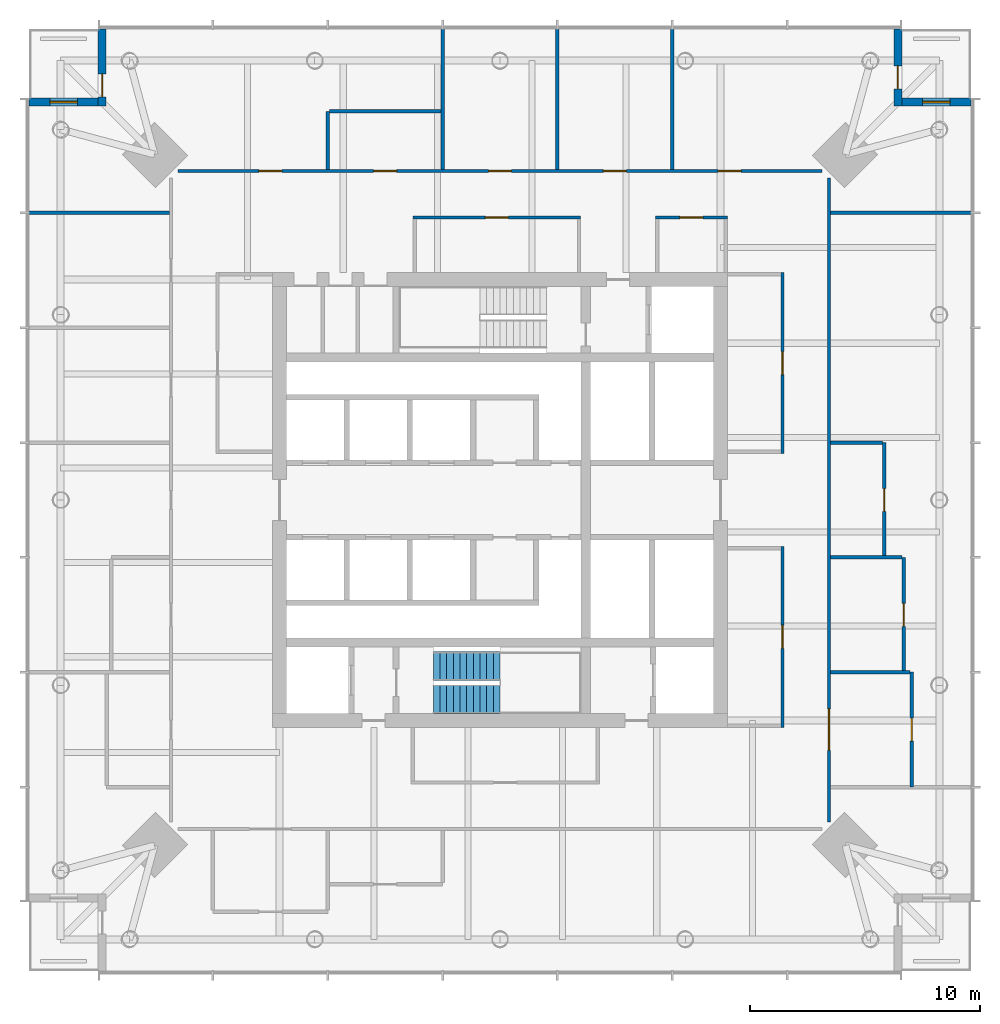
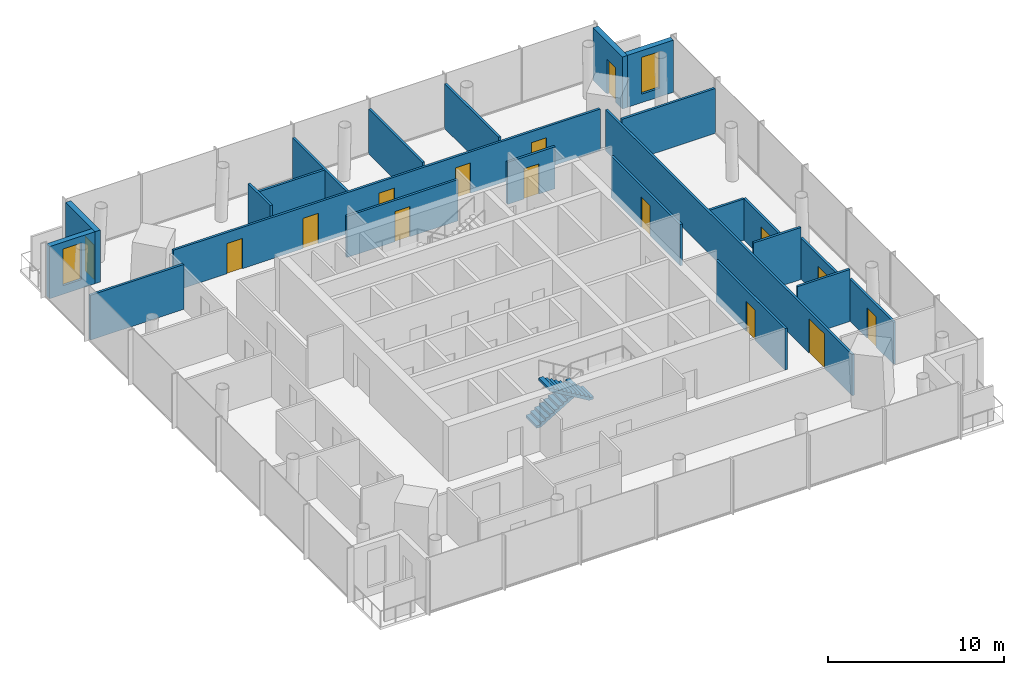
# One storey, part 6 of 8: 23 walls, 15 doors, 2 stair flights, 2 windows, 17 openings, 1 element without a shape of its own.
"""IFC4 building model written with IfcOpenShell, lengths in metres."""

from ifc_helpers import new_model, si_unit, direction, frame, frame_2d, origin, place, context, subcontext, project, spatial, polyline, rectangle, outline, extrude, material, layer, layer_set, type_object, element, fill, aggregate, save


model = new_model("IFC4")

# Units and contexts
model_context = context("Model", 3, precision=1e-05, world=origin(), true_north=direction((0.0, 1.0)))
body_context = subcontext(model_context, "Body", "Model", "MODEL_VIEW")
ifc_project = project(units=[si_unit("LENGTHUNIT", "METRE"), si_unit("AREAUNIT", "SQUARE_METRE"), si_unit("VOLUMEUNIT", "CUBIC_METRE"), si_unit("PLANEANGLEUNIT", "RADIAN"), si_unit("MASSUNIT", "GRAM", prefix="KILO")], contexts=[model_context])

# Site, building, storey
site_placement = place(None, origin())
site = spatial("IfcSite", under=ifc_project, at=site_placement, CompositionType="ELEMENT")
building_placement = place(site_placement, origin())
building = spatial("IfcBuilding", under=site, at=building_placement, Name="Ostroluk Exchange", CompositionType="ELEMENT")
storey_placement = place(building_placement, frame((0.0, 0.0, 173.0)))
storey = spatial("IfcBuildingStorey", under=building, at=storey_placement, Name="L44", CompositionType="ELEMENT", Elevation=173.0)

# Wall, opening, door
ifc_material_1 = material(Name="Limestone", Category="masonry")
ifc_layer_1 = layer(ifc_material_1, 0.35009765625)
ifc_layer_set_1 = layer_set([ifc_layer_1], Name="Limestone facade wall 350")
wall_type_1 = type_object("IfcWallType", Name="Limestone facade wall 350", PredefinedType="SOLIDWALL", material=ifc_layer_set_1)
wall_1_placement = place(storey_placement, frame((62.324951171875, 66.5, 0.0), z_axis=(0.0, 0.0, 1.0), x_axis=(0.0, -1.0, 0.0)))
wall_1 = element("IfcWall", 1, at=wall_1_placement, inside=storey, type_object=wall_type_1, Name="Office tower NE corner wall L44 a", PredefinedType="SOLIDWALL", context=body_context, shape_type="SweptSolid", body=[
    extrude(rectangle(XDim=3.35009765625, YDim=0.35009765625, at=frame_2d((1.675048828125, 0.0))), origin(), (0.0, 0.0, 1.0), 3.6201171875),
])
opening_1_placement = place(wall_1_placement, frame((1.60009765625, 0.0, 0.0)))
opening_1 = element("IfcOpeningElement", 2, at=opening_1_placement, cuts=wall_1, Name="Opening D-B1", PredefinedType="OPENING", context=body_context, shape_type="SweptSolid", body=[
    extrude(rectangle(XDim=1.0, YDim=2.39990234375, at=frame_2d((0.5, 1.199951171875))), frame((0.0, 0.18505859375, 0.0), z_axis=(0.0, -1.0, 0.0), x_axis=(1.0, 0.0, 0.0)), (0.0, 0.0, 1.0), 0.3701171875),
])
ifc_material_2 = material(Name="Bronze framed glazed door", Category="aluminium")
door_type_1 = type_object("IfcDoorType", Name="Balcony door 1000 x 2400", OperationType="SINGLE_SWING_LEFT", PredefinedType="DOOR", material=ifc_material_2)
door_1_placement = place(opening_1_placement, origin())
door_1 = element("IfcDoor", 3, at=door_1_placement, inside=storey, type_object=door_type_1, Name="Office tower NE balcony door L44", OperationType="SINGLE_SWING_RIGHT", OverallHeight=2.39990234375, OverallWidth=1.0, PredefinedType="DOOR", context=body_context, shape_type="SweptSolid", body=[
    extrude(rectangle(XDim=1.0, YDim=2.39990234375, at=frame_2d((0.5, 1.199951171875))), frame((0.0, 0.02490234375, 0.0), z_axis=(0.0, -1.0, 0.0), x_axis=(1.0, 0.0, 0.0)), (0.0, 0.0, 1.0), 0.050048828125),
])
fill(opening_1, door_1)

# Wall, opening, window
wall_2_placement = place(storey_placement, frame((62.5, 63.324951171875, 0.0), z_axis=(0.0, 0.0, 1.0), x_axis=(1.0, 0.0, 0.0)))
wall_2 = element("IfcWall", 4, at=wall_2_placement, inside=storey, type_object=wall_type_1, Name="Office tower NE corner wall L44 b", PredefinedType="SOLIDWALL", context=body_context, shape_type="SweptSolid", body=[
    extrude(rectangle(XDim=3.0, YDim=0.35009765625, at=frame_2d((1.5, 0.0))), origin(), (0.0, 0.0, 1.0), 3.6201171875),
])
opening_2_placement = place(wall_2_placement, frame((0.89990234375, 0.0, 0.60009765625)))
opening_2 = element("IfcOpeningElement", 5, at=opening_2_placement, cuts=wall_2, Name="Opening WN-L1", PredefinedType="OPENING", context=body_context, shape_type="SweptSolid", body=[
    extrude(rectangle(XDim=1.199951171875, YDim=2.550048828125, at=frame_2d((0.60009765625, 1.27490234375))), frame((0.0, 0.18505859375, 0.0), z_axis=(0.0, -1.0, 0.0), x_axis=(1.0, 0.0, 0.0)), (0.0, 0.0, 1.0), 0.3701171875),
])
ifc_material_3 = material(Name="Laminated clear glass", Category="glass")
window_type = type_object("IfcWindowType", Name="Lancet window 1200 x 2550", PartitioningType="SINGLE_PANEL", PredefinedType="WINDOW", material=ifc_material_3)
window_1_placement = place(opening_2_placement, origin())
window_1 = element("IfcWindow", 6, at=window_1_placement, inside=storey, type_object=window_type, Name="Office tower NE lancet window L44", OverallHeight=2.550048828125, OverallWidth=1.199951171875, PartitioningType="SINGLE_PANEL", PredefinedType="WINDOW", context=body_context, shape_type="SweptSolid", body=[
    extrude(rectangle(XDim=1.199951171875, YDim=2.550048828125, at=frame_2d((0.60009765625, 1.27490234375))), frame((0.0, 0.030029296875, 0.0), z_axis=(0.0, -1.0, 0.0), x_axis=(1.0, 0.0, 0.0)), (0.0, 0.0, 1.0), 0.06005859375),
])
fill(opening_2, window_1)

# Wall, opening, door
wall_3_placement = place(storey_placement, frame((27.675048828125, 66.5, 0.0), z_axis=(0.0, 0.0, 1.0), x_axis=(0.0, -1.0, 0.0)))
wall_3 = element("IfcWall", 7, at=wall_3_placement, inside=storey, type_object=wall_type_1, Name="Office tower NW corner wall L44 a", PredefinedType="SOLIDWALL", context=body_context, shape_type="SweptSolid", body=[
    extrude(rectangle(XDim=3.35009765625, YDim=0.35009765625, at=frame_2d((1.675048828125, 0.0))), origin(), (0.0, 0.0, 1.0), 3.6201171875),
])
opening_3_placement = place(wall_3_placement, frame((1.949951171875, 0.0, 0.0)))
opening_3 = element("IfcOpeningElement", 8, at=opening_3_placement, cuts=wall_3, Name="Opening D-B1", PredefinedType="OPENING", context=body_context, shape_type="SweptSolid", body=[
    extrude(rectangle(XDim=1.0, YDim=2.39990234375, at=frame_2d((0.5, 1.199951171875))), frame((0.0, 0.18505859375, 0.0), z_axis=(0.0, -1.0, 0.0), x_axis=(1.0, 0.0, 0.0)), (0.0, 0.0, 1.0), 0.3701171875),
])
door_2_placement = place(opening_3_placement, origin())
door_2 = element("IfcDoor", 9, at=door_2_placement, inside=storey, type_object=door_type_1, Name="Office tower NW balcony door L44", OperationType="SINGLE_SWING_RIGHT", OverallHeight=2.39990234375, OverallWidth=1.0, PredefinedType="DOOR", context=body_context, shape_type="SweptSolid", body=[
    extrude(rectangle(XDim=1.0, YDim=2.39990234375, at=frame_2d((0.5, 1.199951171875))), frame((0.0, 0.02490234375, 0.0), z_axis=(0.0, -1.0, 0.0), x_axis=(1.0, 0.0, 0.0)), (0.0, 0.0, 1.0), 0.050048828125),
])
fill(opening_3, door_2)

# Wall, opening, window
wall_4_placement = place(storey_placement, frame((27.5, 63.324951171875, 0.0), z_axis=(0.0, 0.0, 1.0), x_axis=(-1.0, 0.0, 0.0)))
wall_4 = element("IfcWall", 10, at=wall_4_placement, inside=storey, type_object=wall_type_1, Name="Office tower NW corner wall L44 b", PredefinedType="SOLIDWALL", context=body_context, shape_type="SweptSolid", body=[
    extrude(rectangle(XDim=3.0, YDim=0.35009765625, at=frame_2d((1.5, 0.0))), origin(), (0.0, 0.0, 1.0), 3.6201171875),
])
opening_4_placement = place(wall_4_placement, frame((0.89990234375, 0.0, 0.60009765625)))
opening_4 = element("IfcOpeningElement", 11, at=opening_4_placement, cuts=wall_4, Name="Opening WN-L1", PredefinedType="OPENING", context=body_context, shape_type="SweptSolid", body=[
    extrude(rectangle(XDim=1.199951171875, YDim=2.550048828125, at=frame_2d((0.60009765625, 1.27490234375))), frame((0.0, 0.18505859375, 0.0), z_axis=(0.0, -1.0, 0.0), x_axis=(1.0, 0.0, 0.0)), (0.0, 0.0, 1.0), 0.3701171875),
])
window_2_placement = place(opening_4_placement, origin())
window_2 = element("IfcWindow", 12, at=window_2_placement, inside=storey, type_object=window_type, Name="Office tower NW lancet window L44", OverallHeight=2.550048828125, OverallWidth=1.199951171875, PartitioningType="SINGLE_PANEL", PredefinedType="WINDOW", context=body_context, shape_type="SweptSolid", body=[
    extrude(rectangle(XDim=1.199951171875, YDim=2.550048828125, at=frame_2d((0.60009765625, 1.27490234375))), frame((0.0, 0.030029296875, 0.0), z_axis=(0.0, -1.0, 0.0), x_axis=(1.0, 0.0, 0.0)), (0.0, 0.0, 1.0), 0.06005859375),
])
fill(opening_4, window_2)

# Wall, opening, door
ifc_material_4 = material(Name="Gypsum plasterboard partition", Category="gypsum")
ifc_layer_2 = layer(ifc_material_4, 0.14990234375)
ifc_layer_set_2 = layer_set([ifc_layer_2], Name="Plasterboard partition 150")
wall_type_2 = type_object("IfcWallType", Name="Plasterboard partition 150", PredefinedType="PARTITIONING", material=ifc_layer_set_2)
wall_5_placement = place(storey_placement, frame((57.300048828125, 36.10009765625, 0.0), z_axis=(0.0, 0.0, 1.0), x_axis=(0.0, 1.0, 0.0)))
wall_5 = element("IfcWall", 13, at=wall_5_placement, inside=storey, type_object=wall_type_2, Name="Partition", PredefinedType="PARTITIONING", context=body_context, shape_type="SweptSolid", body=[
    extrude(rectangle(XDim=7.875, YDim=0.14990234375, at=frame_2d((3.9375, 0.0))), origin(), (0.0, 0.0, 1.0), 2.866943359375),
])
opening_5_placement = place(wall_5_placement, frame((3.4375, 0.0, 0.0)))
opening_5 = element("IfcOpeningElement", 14, at=opening_5_placement, cuts=wall_5, Name="Opening D-03", PredefinedType="OPENING", context=body_context, shape_type="SweptSolid", body=[
    extrude(rectangle(XDim=1.0, YDim=2.10009765625, at=frame_2d((0.5, 1.050048828125))), frame((0.0, 0.0849609375, 0.0), z_axis=(0.0, -1.0, 0.0), x_axis=(1.0, 0.0, 0.0)), (0.0, 0.0, 1.0), 0.169921875),
])
ifc_material_5 = material(Name="Timber", Category="wood")
door_type_2 = type_object("IfcDoorType", Name="Internal door 1000 x 2100", OperationType="SINGLE_SWING_LEFT", PredefinedType="DOOR", material=ifc_material_5)
door_3_placement = place(opening_5_placement, origin())
door_3 = element("IfcDoor", 15, at=door_3_placement, inside=storey, type_object=door_type_2, Name="Meeting room door", OperationType="SINGLE_SWING_LEFT", OverallHeight=2.10009765625, OverallWidth=1.0, PredefinedType="DOOR", context=body_context, shape_type="SweptSolid", body=[
    extrude(rectangle(XDim=1.0, YDim=2.10009765625, at=frame_2d((0.5, 1.050048828125))), frame((0.0, 0.02490234375, 0.0), z_axis=(0.0, -1.0, 0.0), x_axis=(1.0, 0.0, 0.0)), (0.0, 0.0, 1.0), 0.050048828125),
])
fill(opening_5, door_3)

wall_6_placement = place(storey_placement, frame((57.300048828125, 48.02490234375, 0.0), z_axis=(0.0, 0.0, 1.0), x_axis=(0.0, 1.0, 0.0)))
wall_6 = element("IfcWall", 16, at=wall_6_placement, inside=storey, type_object=wall_type_2, Name="Partition", PredefinedType="PARTITIONING", context=body_context, shape_type="SweptSolid", body=[
    extrude(rectangle(XDim=7.875, YDim=0.14990234375, at=frame_2d((3.9375, 0.0))), origin(), (0.0, 0.0, 1.0), 2.866943359375),
])
opening_6_placement = place(wall_6_placement, frame((3.4375, 0.0, 0.0)))
opening_6 = element("IfcOpeningElement", 17, at=opening_6_placement, cuts=wall_6, Name="Opening D-03", PredefinedType="OPENING", context=body_context, shape_type="SweptSolid", body=[
    extrude(rectangle(XDim=1.0, YDim=2.10009765625, at=frame_2d((0.5, 1.050048828125))), frame((0.0, 0.0849609375, 0.0), z_axis=(0.0, -1.0, 0.0), x_axis=(1.0, 0.0, 0.0)), (0.0, 0.0, 1.0), 0.169921875),
])
door_4_placement = place(opening_6_placement, origin())
door_4 = element("IfcDoor", 18, at=door_4_placement, inside=storey, type_object=door_type_2, Name="Meeting room door", OperationType="SINGLE_SWING_LEFT", OverallHeight=2.10009765625, OverallWidth=1.0, PredefinedType="DOOR", context=body_context, shape_type="SweptSolid", body=[
    extrude(rectangle(XDim=1.0, YDim=2.10009765625, at=frame_2d((0.5, 1.050048828125))), frame((0.0, 0.02490234375, 0.0), z_axis=(0.0, -1.0, 0.0), x_axis=(1.0, 0.0, 0.0)), (0.0, 0.0, 1.0), 0.050048828125),
])
fill(opening_6, door_4)

wall_7_placement = place(storey_placement, frame((54.89990234375, 58.300048828125, 0.0), z_axis=(0.0, 0.0, 1.0), x_axis=(-1.0, 0.0, 0.0)))
wall_7 = element("IfcWall", 19, at=wall_7_placement, inside=storey, type_object=wall_type_2, Name="Partition", PredefinedType="PARTITIONING", context=body_context, shape_type="SweptSolid", body=[
    extrude(rectangle(XDim=3.135009765625, YDim=0.14990234375, at=frame_2d((1.5673828125, 0.0))), origin(), (0.0, 0.0, 1.0), 2.919921875),
])
opening_7_placement = place(wall_7_placement, frame((1.0673828125, 0.0, 0.0)))
opening_7 = element("IfcOpeningElement", 20, at=opening_7_placement, cuts=wall_7, Name="Opening D-03", PredefinedType="OPENING", context=body_context, shape_type="SweptSolid", body=[
    extrude(rectangle(XDim=1.0, YDim=2.10009765625, at=frame_2d((0.5, 1.050048828125))), frame((0.0, 0.0849609375, 0.0), z_axis=(0.0, -1.0, 0.0), x_axis=(1.0, 0.0, 0.0)), (0.0, 0.0, 1.0), 0.169921875),
])
door_5_placement = place(opening_7_placement, origin())
door_5 = element("IfcDoor", 21, at=door_5_placement, inside=storey, type_object=door_type_2, Name="Meeting room door", OperationType="SINGLE_SWING_RIGHT", OverallHeight=2.10009765625, OverallWidth=1.0, PredefinedType="DOOR", context=body_context, shape_type="SweptSolid", body=[
    extrude(rectangle(XDim=1.0, YDim=2.10009765625, at=frame_2d((0.5, 1.050048828125))), frame((0.0, 0.02490234375, 0.0), z_axis=(0.0, -1.0, 0.0), x_axis=(1.0, 0.0, 0.0)), (0.0, 0.0, 1.0), 0.050048828125),
])
fill(opening_7, door_5)

wall_8_placement = place(storey_placement, frame((48.514892578125, 58.300048828125, 0.0), z_axis=(0.0, 0.0, 1.0), x_axis=(-1.0, 0.0, 0.0)))
wall_8 = element("IfcWall", 22, at=wall_8_placement, inside=storey, type_object=wall_type_2, Name="Partition", PredefinedType="PARTITIONING", context=body_context, shape_type="SweptSolid", body=[
    extrude(rectangle(XDim=7.30712890625, YDim=0.14990234375, at=frame_2d((3.653564453125, 0.0))), origin(), (0.0, 0.0, 1.0), 2.866943359375),
])
opening_8_placement = place(wall_8_placement, frame((3.153564453125, 0.0, 0.0)))
opening_8 = element("IfcOpeningElement", 23, at=opening_8_placement, cuts=wall_8, Name="Opening D-03", PredefinedType="OPENING", context=body_context, shape_type="SweptSolid", body=[
    extrude(rectangle(XDim=1.0, YDim=2.10009765625, at=frame_2d((0.5, 1.050048828125))), frame((0.0, 0.0849609375, 0.0), z_axis=(0.0, -1.0, 0.0), x_axis=(1.0, 0.0, 0.0)), (0.0, 0.0, 1.0), 0.169921875),
])
door_6_placement = place(opening_8_placement, origin())
door_6 = element("IfcDoor", 24, at=door_6_placement, inside=storey, type_object=door_type_2, Name="Meeting room door", OperationType="SINGLE_SWING_LEFT", OverallHeight=2.10009765625, OverallWidth=1.0, PredefinedType="DOOR", context=body_context, shape_type="SweptSolid", body=[
    extrude(rectangle(XDim=1.0, YDim=2.10009765625, at=frame_2d((0.5, 1.050048828125))), frame((0.0, 0.02490234375, 0.0), z_axis=(0.0, -1.0, 0.0), x_axis=(1.0, 0.0, 0.0)), (0.0, 0.0, 1.0), 0.050048828125),
])
fill(opening_8, door_6)

wall_9_placement = place(storey_placement, frame((59.324951171875, 31.971435546875, 0.0), z_axis=(0.0, 0.0, 1.0), x_axis=(0.0, 1.0, 0.0)))
wall_9 = element("IfcWall", 25, at=wall_9_placement, inside=storey, type_object=wall_type_2, Name="Partition", PredefinedType="PARTITIONING", context=body_context, shape_type="SweptSolid", body=[
    extrude(rectangle(XDim=28.05712890625, YDim=0.14990234375, at=frame_2d((14.028564453125, 0.0))), origin(), (0.0, 0.0, 1.0), 2.866943359375),
])
opening_9_placement = place(wall_9_placement, frame((3.128662109375, 0.0, 0.0)))
opening_9 = element("IfcOpeningElement", 26, at=opening_9_placement, cuts=wall_9, Name="Opening D-04", PredefinedType="OPENING", context=body_context, shape_type="SweptSolid", body=[
    extrude(rectangle(XDim=1.800048828125, YDim=2.39990234375, at=frame_2d((0.89990234375, 1.199951171875))), frame((0.0, 0.0849609375, 0.0), z_axis=(0.0, -1.0, 0.0), x_axis=(1.0, 0.0, 0.0)), (0.0, 0.0, 1.0), 0.169921875),
])
ifc_material_6 = material(Name="Timber", Category="wood")
door_type_3 = type_object("IfcDoorType", Name="Double door 1800 x 2400", OperationType="DOUBLE_DOOR_SINGLE_SWING", PredefinedType="DOOR", material=ifc_material_6)
door_7_placement = place(opening_9_placement, origin())
door_7 = element("IfcDoor", 27, at=door_7_placement, inside=storey, type_object=door_type_3, Name="Office reception door", OperationType="DOUBLE_DOOR_SINGLE_SWING", OverallHeight=2.39990234375, OverallWidth=1.800048828125, PredefinedType="DOOR", context=body_context, shape_type="SweptSolid", body=[
    extrude(rectangle(XDim=1.800048828125, YDim=2.39990234375, at=frame_2d((0.89990234375, 1.199951171875))), frame((0.0, 0.02490234375, 0.0), z_axis=(0.0, -1.0, 0.0), x_axis=(1.0, 0.0, 0.0)), (0.0, 0.0, 1.0), 0.050048828125),
])
fill(opening_9, door_7)

# Wall
wall_10_placement = place(storey_placement, frame((59.39990234375, 58.5, 0.0), z_axis=(0.0, 0.0, 1.0), x_axis=(1.0, 0.0, 0.0)))
element("IfcWall", 28, at=wall_10_placement, inside=storey, type_object=wall_type_2, Name="Partition", PredefinedType="PARTITIONING", context=body_context, shape_type="SweptSolid", body=[
    extrude(rectangle(XDim=6.14013671875, YDim=0.14990234375, at=frame_2d((3.070068359375, 0.0))), origin(), (0.0, 0.0, 1.0), 3.1201171875),
])

# Wall, opening, door
wall_11_placement = place(storey_placement, frame((62.928466796875, 33.5, 0.0), z_axis=(0.0, 0.0, 1.0), x_axis=(0.0, 1.0, 0.0)))
wall_11 = element("IfcWall", 29, at=wall_11_placement, inside=storey, type_object=wall_type_2, Name="Partition", PredefinedType="PARTITIONING", context=body_context, shape_type="SweptSolid", body=[
    extrude(rectangle(XDim=5.0, YDim=0.14990234375, at=frame_2d((2.5, 0.0))), origin(), (0.0, 0.0, 1.0), 2.919921875),
])
opening_10_placement = place(wall_11_placement, frame((2.0, 0.0, 0.0)))
opening_10 = element("IfcOpeningElement", 30, at=opening_10_placement, cuts=wall_11, Name="Opening D-03", PredefinedType="OPENING", context=body_context, shape_type="SweptSolid", body=[
    extrude(rectangle(XDim=1.0, YDim=2.10009765625, at=frame_2d((0.5, 1.050048828125))), frame((0.0, 0.0849609375, 0.0), z_axis=(0.0, -1.0, 0.0), x_axis=(1.0, 0.0, 0.0)), (0.0, 0.0, 1.0), 0.169921875),
])
door_8_placement = place(opening_10_placement, origin())
door_8 = element("IfcDoor", 31, at=door_8_placement, inside=storey, type_object=door_type_2, Name="Office reception door", OperationType="SINGLE_SWING_LEFT", OverallHeight=2.10009765625, OverallWidth=1.0, PredefinedType="DOOR", context=body_context, shape_type="SweptSolid", body=[
    extrude(rectangle(XDim=1.0, YDim=2.10009765625, at=frame_2d((0.5, 1.050048828125))), frame((0.0, 0.02490234375, 0.0), z_axis=(0.0, -1.0, 0.0), x_axis=(1.0, 0.0, 0.0)), (0.0, 0.0, 1.0), 0.050048828125),
])
fill(opening_10, door_8)

wall_12_placement = place(storey_placement, frame((62.585205078125, 38.5, 0.0), z_axis=(0.0, 0.0, 1.0), x_axis=(0.0, 1.0, 0.0)))
wall_12 = element("IfcWall", 32, at=wall_12_placement, inside=storey, type_object=wall_type_2, Name="Partition", PredefinedType="PARTITIONING", context=body_context, shape_type="SweptSolid", body=[
    extrude(rectangle(XDim=5.0, YDim=0.14990234375, at=frame_2d((2.5, 0.0))), origin(), (0.0, 0.0, 1.0), 2.866943359375),
])
opening_11_placement = place(wall_12_placement, frame((2.0, 0.0, 0.0)))
opening_11 = element("IfcOpeningElement", 33, at=opening_11_placement, cuts=wall_12, Name="Opening D-03", PredefinedType="OPENING", context=body_context, shape_type="SweptSolid", body=[
    extrude(rectangle(XDim=1.0, YDim=2.10009765625, at=frame_2d((0.5, 1.050048828125))), frame((0.0, 0.0849609375, 0.0), z_axis=(0.0, -1.0, 0.0), x_axis=(1.0, 0.0, 0.0)), (0.0, 0.0, 1.0), 0.169921875),
])
door_9_placement = place(opening_11_placement, origin())
door_9 = element("IfcDoor", 34, at=door_9_placement, inside=storey, type_object=door_type_2, Name="Meeting room door", OperationType="SINGLE_SWING_LEFT", OverallHeight=2.10009765625, OverallWidth=1.0, PredefinedType="DOOR", context=body_context, shape_type="SweptSolid", body=[
    extrude(rectangle(XDim=1.0, YDim=2.10009765625, at=frame_2d((0.5, 1.050048828125))), frame((0.0, 0.02490234375, 0.0), z_axis=(0.0, -1.0, 0.0), x_axis=(1.0, 0.0, 0.0)), (0.0, 0.0, 1.0), 0.050048828125),
])
fill(opening_11, door_9)

wall_13_placement = place(storey_placement, frame((61.727294921875, 43.5, 0.0), z_axis=(0.0, 0.0, 1.0), x_axis=(0.0, 1.0, 0.0)))
wall_13 = element("IfcWall", 35, at=wall_13_placement, inside=storey, type_object=wall_type_2, Name="Partition", PredefinedType="PARTITIONING", context=body_context, shape_type="SweptSolid", body=[
    extrude(rectangle(XDim=5.0, YDim=0.14990234375, at=frame_2d((2.5, 0.0))), origin(), (0.0, 0.0, 1.0), 2.866943359375),
])
opening_12_placement = place(wall_13_placement, frame((2.0, 0.0, 0.0)))
opening_12 = element("IfcOpeningElement", 36, at=opening_12_placement, cuts=wall_13, Name="Opening D-03", PredefinedType="OPENING", context=body_context, shape_type="SweptSolid", body=[
    extrude(rectangle(XDim=1.0, YDim=2.10009765625, at=frame_2d((0.5, 1.050048828125))), frame((0.0, 0.0849609375, 0.0), z_axis=(0.0, -1.0, 0.0), x_axis=(1.0, 0.0, 0.0)), (0.0, 0.0, 1.0), 0.169921875),
])
door_10_placement = place(opening_12_placement, origin())
door_10 = element("IfcDoor", 37, at=door_10_placement, inside=storey, type_object=door_type_2, Name="Pantry door", OperationType="SINGLE_SWING_LEFT", OverallHeight=2.10009765625, OverallWidth=1.0, PredefinedType="DOOR", context=body_context, shape_type="SweptSolid", body=[
    extrude(rectangle(XDim=1.0, YDim=2.10009765625, at=frame_2d((0.5, 1.050048828125))), frame((0.0, 0.02490234375, 0.0), z_axis=(0.0, -1.0, 0.0), x_axis=(1.0, 0.0, 0.0)), (0.0, 0.0, 1.0), 0.050048828125),
])
fill(opening_12, door_10)

# Walls
wall_14_placement = place(storey_placement, frame((59.39990234375, 38.5, 0.0), z_axis=(0.0, 0.0, 1.0), x_axis=(1.0, 0.0, 0.0)))
element("IfcWall", 38, at=wall_14_placement, inside=storey, type_object=wall_type_2, Name="Partition", PredefinedType="PARTITIONING", context=body_context, shape_type="SweptSolid", body=[
    extrude(rectangle(XDim=3.45361328125, YDim=0.14990234375, at=frame_2d((1.726806640625, 0.0))), origin(), (0.0, 0.0, 1.0), 3.6201171875),
])
wall_15_placement = place(storey_placement, frame((59.39990234375, 43.5, 0.0), z_axis=(0.0, 0.0, 1.0), x_axis=(1.0, 0.0, 0.0)))
element("IfcWall", 39, at=wall_15_placement, inside=storey, type_object=wall_type_2, Name="Partition", PredefinedType="PARTITIONING", context=body_context, shape_type="SweptSolid", body=[
    extrude(rectangle(XDim=3.1103515625, YDim=0.14990234375, at=frame_2d((1.55517578125, 0.0))), origin(), (0.0, 0.0, 1.0), 3.6201171875),
])
wall_16_placement = place(storey_placement, frame((59.39990234375, 48.5, 0.0), z_axis=(0.0, 0.0, 1.0), x_axis=(1.0, 0.0, 0.0)))
element("IfcWall", 40, at=wall_16_placement, inside=storey, type_object=wall_type_2, Name="Partition", PredefinedType="PARTITIONING", context=body_context, shape_type="SweptSolid", body=[
    extrude(rectangle(XDim=2.25244140625, YDim=0.14990234375, at=frame_2d((1.126220703125, 0.0))), origin(), (0.0, 0.0, 1.0), 2.866943359375),
])
wall_17_placement = place(storey_placement, frame((42.425048828125, 62.925048828125, 0.0), z_axis=(0.0, 0.0, 1.0), x_axis=(-1.0, 0.0, 0.0)))
element("IfcWall", 41, at=wall_17_placement, inside=storey, type_object=wall_type_2, Name="Partition", PredefinedType="PARTITIONING", context=body_context, shape_type="SweptSolid", body=[
    extrude(rectangle(XDim=4.85009765625, YDim=0.14990234375, at=frame_2d((2.425048828125, 0.0))), origin(), (0.0, 0.0, 1.0), 2.866943359375),
])

# Wall, openings, doors
wall_18_placement = place(storey_placement, frame((59.028564453125, 60.324951171875, 0.0), z_axis=(0.0, 0.0, 1.0), x_axis=(-1.0, 0.0, 0.0)))
wall_18 = element("IfcWall", 42, at=wall_18_placement, inside=storey, type_object=wall_type_2, Name="Partition", PredefinedType="PARTITIONING", context=body_context, shape_type="SweptSolid", body=[
    extrude(rectangle(XDim=28.05712890625, YDim=0.14990234375, at=frame_2d((14.028564453125, 0.0))), origin(), (0.0, 0.0, 1.0), 2.866943359375),
])
opening_13_placement = place(wall_18_placement, frame((3.528564453125, 0.0, 0.0)))
opening_13 = element("IfcOpeningElement", 43, at=opening_13_placement, cuts=wall_18, Name="Opening D-03", PredefinedType="OPENING", context=body_context, shape_type="SweptSolid", body=[
    extrude(rectangle(XDim=1.0, YDim=2.10009765625, at=frame_2d((0.5, 1.050048828125))), frame((0.0, 0.0849609375, 0.0), z_axis=(0.0, -1.0, 0.0), x_axis=(1.0, 0.0, 0.0)), (0.0, 0.0, 1.0), 0.169921875),
])
opening_14_placement = place(wall_18_placement, frame((8.528564453125, 0.0, 0.0)))
opening_14 = element("IfcOpeningElement", 44, at=opening_14_placement, cuts=wall_18, Name="Opening D-03", PredefinedType="OPENING", context=body_context, shape_type="SweptSolid", body=[
    extrude(rectangle(XDim=1.0, YDim=2.10009765625, at=frame_2d((0.5, 1.050048828125))), frame((0.0, 0.0849609375, 0.0), z_axis=(0.0, -1.0, 0.0), x_axis=(1.0, 0.0, 0.0)), (0.0, 0.0, 1.0), 0.169921875),
])
opening_15_placement = place(wall_18_placement, frame((13.528564453125, 0.0, 0.0)))
opening_15 = element("IfcOpeningElement", 45, at=opening_15_placement, cuts=wall_18, Name="Opening D-03", PredefinedType="OPENING", context=body_context, shape_type="SweptSolid", body=[
    extrude(rectangle(XDim=1.0, YDim=2.10009765625, at=frame_2d((0.5, 1.050048828125))), frame((0.0, 0.0849609375, 0.0), z_axis=(0.0, -1.0, 0.0), x_axis=(1.0, 0.0, 0.0)), (0.0, 0.0, 1.0), 0.169921875),
])
opening_16_placement = place(wall_18_placement, frame((18.528564453125, 0.0, 0.0)))
opening_16 = element("IfcOpeningElement", 46, at=opening_16_placement, cuts=wall_18, Name="Opening D-03", PredefinedType="OPENING", context=body_context, shape_type="SweptSolid", body=[
    extrude(rectangle(XDim=1.0, YDim=2.10009765625, at=frame_2d((0.5, 1.050048828125))), frame((0.0, 0.0849609375, 0.0), z_axis=(0.0, -1.0, 0.0), x_axis=(1.0, 0.0, 0.0)), (0.0, 0.0, 1.0), 0.169921875),
])
opening_17_placement = place(wall_18_placement, frame((23.528564453125, 0.0, 0.0)))
opening_17 = element("IfcOpeningElement", 47, at=opening_17_placement, cuts=wall_18, Name="Opening D-03", PredefinedType="OPENING", context=body_context, shape_type="SweptSolid", body=[
    extrude(rectangle(XDim=1.0, YDim=2.10009765625, at=frame_2d((0.5, 1.050048828125))), frame((0.0, 0.0849609375, 0.0), z_axis=(0.0, -1.0, 0.0), x_axis=(1.0, 0.0, 0.0)), (0.0, 0.0, 1.0), 0.169921875),
])
door_11_placement = place(opening_13_placement, origin())
door_11 = element("IfcDoor", 48, at=door_11_placement, inside=storey, type_object=door_type_2, Name="Office suite door", OperationType="SINGLE_SWING_LEFT", OverallHeight=2.10009765625, OverallWidth=1.0, PredefinedType="DOOR", context=body_context, shape_type="SweptSolid", body=[
    extrude(rectangle(XDim=1.0, YDim=2.10009765625, at=frame_2d((0.5, 1.050048828125))), frame((0.0, 0.02490234375, 0.0), z_axis=(0.0, -1.0, 0.0), x_axis=(1.0, 0.0, 0.0)), (0.0, 0.0, 1.0), 0.050048828125),
])
fill(opening_13, door_11)
door_12_placement = place(opening_14_placement, origin())
door_12 = element("IfcDoor", 49, at=door_12_placement, inside=storey, type_object=door_type_2, Name="Office door", OperationType="SINGLE_SWING_LEFT", OverallHeight=2.10009765625, OverallWidth=1.0, PredefinedType="DOOR", context=body_context, shape_type="SweptSolid", body=[
    extrude(rectangle(XDim=1.0, YDim=2.10009765625, at=frame_2d((0.5, 1.050048828125))), frame((0.0, 0.02490234375, 0.0), z_axis=(0.0, -1.0, 0.0), x_axis=(1.0, 0.0, 0.0)), (0.0, 0.0, 1.0), 0.050048828125),
])
fill(opening_14, door_12)
door_13_placement = place(opening_15_placement, origin())
door_13 = element("IfcDoor", 50, at=door_13_placement, inside=storey, type_object=door_type_2, Name="Meeting room door", OperationType="SINGLE_SWING_LEFT", OverallHeight=2.10009765625, OverallWidth=1.0, PredefinedType="DOOR", context=body_context, shape_type="SweptSolid", body=[
    extrude(rectangle(XDim=1.0, YDim=2.10009765625, at=frame_2d((0.5, 1.050048828125))), frame((0.0, 0.02490234375, 0.0), z_axis=(0.0, -1.0, 0.0), x_axis=(1.0, 0.0, 0.0)), (0.0, 0.0, 1.0), 0.050048828125),
])
fill(opening_15, door_13)
door_14_placement = place(opening_16_placement, origin())
door_14 = element("IfcDoor", 51, at=door_14_placement, inside=storey, type_object=door_type_2, Name="Pantry door", OperationType="SINGLE_SWING_RIGHT", OverallHeight=2.10009765625, OverallWidth=1.0, PredefinedType="DOOR", context=body_context, shape_type="SweptSolid", body=[
    extrude(rectangle(XDim=1.0, YDim=2.10009765625, at=frame_2d((0.5, 1.050048828125))), frame((0.0, 0.02490234375, 0.0), z_axis=(0.0, -1.0, 0.0), x_axis=(1.0, 0.0, 0.0)), (0.0, 0.0, 1.0), 0.050048828125),
])
fill(opening_16, door_14)
door_15_placement = place(opening_17_placement, origin())
door_15 = element("IfcDoor", 52, at=door_15_placement, inside=storey, type_object=door_type_2, Name="Office door", OperationType="SINGLE_SWING_RIGHT", OverallHeight=2.10009765625, OverallWidth=1.0, PredefinedType="DOOR", context=body_context, shape_type="SweptSolid", body=[
    extrude(rectangle(XDim=1.0, YDim=2.10009765625, at=frame_2d((0.5, 1.050048828125))), frame((0.0, 0.02490234375, 0.0), z_axis=(0.0, -1.0, 0.0), x_axis=(1.0, 0.0, 0.0)), (0.0, 0.0, 1.0), 0.050048828125),
])
fill(opening_17, door_15)

# Walls
for number, where, z_axis, x_axis, name in (
    (53, (52.5, 60.39990234375, 0.0), (0.0, 0.0, 1.0), (0.0, 1.0, 0.0), "Partition"),
    (54, (47.5, 60.39990234375, 0.0), (0.0, 0.0, 1.0), (0.0, 1.0, 0.0), "Partition"),
):
    element("IfcWall", number, at=place(storey_placement, frame(where, z_axis=z_axis, x_axis=x_axis)), inside=storey, type_object=wall_type_2, Name=name, PredefinedType="PARTITIONING", context=body_context, shape_type="SweptSolid", body=[
        extrude(rectangle(XDim=6.14013671875, YDim=0.14990234375, at=frame_2d((3.070068359375, 0.0))), origin(), (0.0, 0.0, 1.0), 3.1201171875),
    ])
wall_19_placement = place(storey_placement, frame((42.5, 60.39990234375, 0.0), z_axis=(0.0, 0.0, 1.0), x_axis=(0.0, 1.0, 0.0)))
element("IfcWall", 55, at=wall_19_placement, inside=storey, type_object=wall_type_2, Name="Partition", PredefinedType="PARTITIONING", context=body_context, shape_type="SweptSolid", body=[
    extrude(rectangle(XDim=6.14013671875, YDim=0.14990234375, at=frame_2d((3.070068359375, 0.0))), origin(), (0.0, 0.0, 1.0), 2.866943359375),
])
wall_20_placement = place(storey_placement, frame((37.5, 60.39990234375, 0.0), z_axis=(0.0, 0.0, 1.0), x_axis=(0.0, 1.0, 0.0)))
element("IfcWall", 56, at=wall_20_placement, inside=storey, type_object=wall_type_2, Name="Partition", PredefinedType="PARTITIONING", context=body_context, shape_type="SweptSolid", body=[
    extrude(rectangle(XDim=2.525146484375, YDim=0.14990234375, at=frame_2d((1.2626953125, 0.0))), origin(), (0.0, 0.0, 1.0), 3.6201171875),
])
wall_21_placement = place(storey_placement, frame((30.60009765625, 58.5, 0.0), z_axis=(0.0, 0.0, 1.0), x_axis=(-1.0, 0.0, 0.0)))
element("IfcWall", 57, at=wall_21_placement, inside=storey, type_object=wall_type_2, Name="Partition", PredefinedType="PARTITIONING", context=body_context, shape_type="SweptSolid", body=[
    extrude(rectangle(XDim=6.14013671875, YDim=0.14990234375, at=frame_2d((3.070068359375, 0.0))), origin(), (0.0, 0.0, 1.0), 3.1201171875),
])

# Stair, stair flights
ifc_material_7 = material(Name="Concrete C30/37", Category="concrete")
stair_type = type_object("IfcStairType", Name="Exit stair half turn 3800", PredefinedType="HALF_TURN_STAIR", material=ifc_material_7)
stair_placement = place(storey_placement, origin())
stair = element("IfcStair", 58, at=stair_placement, inside=storey, type_object=stair_type, Name="Stair T1-S1 L44", PredefinedType="HALF_TURN_STAIR")
ifc_material_8 = material(Name="Concrete C30/37", Category="concrete")
stair_flight_type = type_object("IfcStairFlightType", Name="Stair flight 11 risers 172.7 x 290", PredefinedType="STRAIGHT", material=ifc_material_8)
stair_flight_1_placement = place(storey_placement, frame((42.10009765625, 38.77490234375, 0.0), z_axis=(0.0, 0.0, 1.0), x_axis=(1.0, 0.0, 0.0)))
stair_flight_1 = element("IfcStairFlight", 59, at=stair_flight_1_placement, type_object=stair_flight_type, Name="T1-S1 flight 1", NumberOfRisers=11, NumberOfTreads=10, PredefinedType="STRAIGHT", RiserHeight=0.172727273, TreadLength=0.29, context=body_context, shape_type="SweptSolid", body=[
    extrude(outline(polyline([(0.0, 0.0), (0.0, 0.172607421875), (0.2900390625, 0.172607421875), (0.2900390625, 0.345458984375), (0.580078125, 0.345458984375), (0.580078125, 0.51806640625), (0.8701171875, 0.51806640625), (0.8701171875, 0.69091796875), (1.159912109375, 0.69091796875), (1.159912109375, 0.863525390625), (1.449951171875, 0.863525390625), (1.449951171875, 1.036376953125), (1.739990234375, 1.036376953125), (1.739990234375, 1.208984375), (2.030029296875, 1.208984375), (2.030029296875, 1.3818359375), (2.320068359375, 1.3818359375), (2.320068359375, 1.554443359375), (2.610107421875, 1.554443359375), (2.610107421875, 1.727294921875), (2.89990234375, 1.727294921875), (2.89990234375, 1.89990234375), (2.89990234375, 1.552734375), (0.29296875, 0.0), (0.0, 0.0)])), frame((0.0, 0.625, 0.0), z_axis=(0.0, -1.0, 0.0), x_axis=(1.0, 0.0, 0.0)), (0.0, 0.0, 1.0), 1.25),
])
stair_flight_2_placement = place(storey_placement, frame((45.0, 37.324951171875, 1.89990234375), z_axis=(0.0, 0.0, 1.0), x_axis=(-1.0, 0.0, 0.0)))
stair_flight_2 = element("IfcStairFlight", 60, at=stair_flight_2_placement, type_object=stair_flight_type, Name="T1-S1 flight 2", NumberOfRisers=11, NumberOfTreads=10, PredefinedType="STRAIGHT", RiserHeight=0.172727273, TreadLength=0.29, context=body_context, shape_type="SweptSolid", body=[
    extrude(outline(polyline([(0.0, 0.0), (0.0, 0.172607421875), (0.2900390625, 0.172607421875), (0.2900390625, 0.345458984375), (0.580078125, 0.345458984375), (0.580078125, 0.51806640625), (0.8701171875, 0.51806640625), (0.8701171875, 0.69091796875), (1.159912109375, 0.69091796875), (1.159912109375, 0.863525390625), (1.449951171875, 0.863525390625), (1.449951171875, 1.036376953125), (1.739990234375, 1.036376953125), (1.739990234375, 1.208984375), (2.030029296875, 1.208984375), (2.030029296875, 1.3818359375), (2.320068359375, 1.3818359375), (2.320068359375, 1.554443359375), (2.610107421875, 1.554443359375), (2.610107421875, 1.727294921875), (2.89990234375, 1.727294921875), (2.89990234375, 1.89990234375), (2.89990234375, 1.552734375), (0.29296875, 0.0), (0.0, 0.0)])), frame((0.0, 0.625, 0.0), z_axis=(0.0, -1.0, 0.0), x_axis=(1.0, 0.0, 0.0)), (0.0, 0.0, 1.0), 1.25),
])
aggregate(stair, [stair_flight_1, stair_flight_2])

save(model, "model.ifc")
